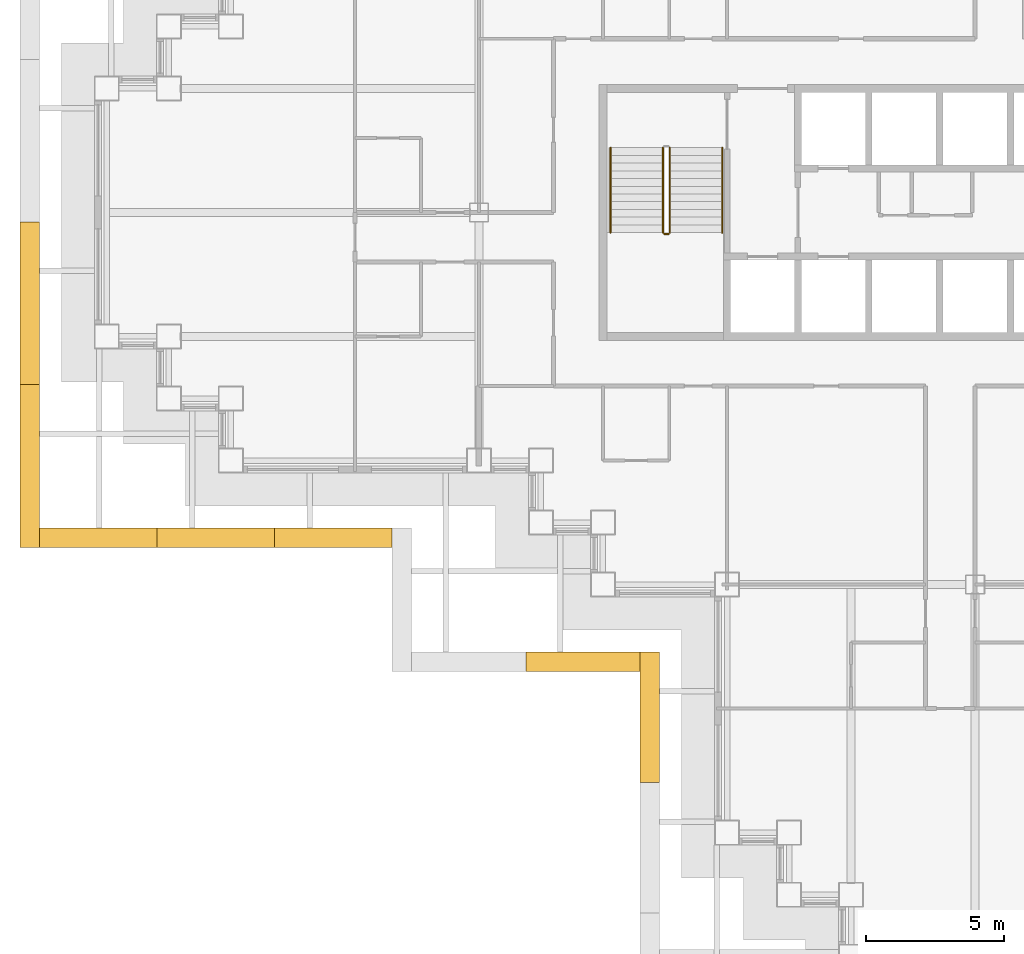
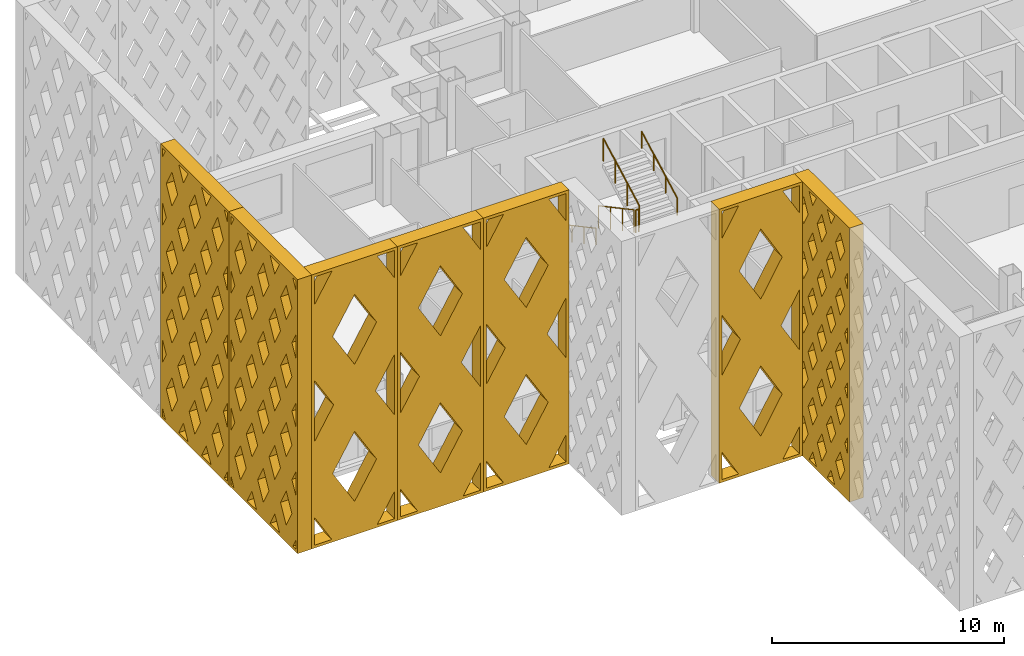
# One storey, part 14 of 21: 7 shading devices, 5 railings.
"""IFC4 building model written with IfcOpenShell, lengths in metres."""

from ifc_helpers import new_model, si_unit, direction, frame, origin, origin_2d, place, context, subcontext, project, spatial, polyline, circle, outline, extrude, material, type_object, element, save


model = new_model("IFC4")

# Units and contexts
model_context = context("Model", 3, precision=1e-05, world=origin(), true_north=direction((0.0, 1.0)))
body_context = subcontext(model_context, "Body", "Model", "MODEL_VIEW")
ifc_project = project(units=[si_unit("LENGTHUNIT", "METRE"), si_unit("AREAUNIT", "SQUARE_METRE"), si_unit("VOLUMEUNIT", "CUBIC_METRE"), si_unit("PLANEANGLEUNIT", "RADIAN"), si_unit("MASSUNIT", "GRAM", prefix="KILO")], contexts=[model_context])

# Site, building, storey
site_placement = place(None, origin())
site = spatial("IfcSite", under=ifc_project, at=site_placement, CompositionType="ELEMENT")
building_placement = place(site_placement, origin())
building = spatial("IfcBuilding", under=site, at=building_placement, Name="Caravel Reach Hotel and Residences", CompositionType="ELEMENT")
storey_placement = place(building_placement, frame((0.0, 0.0, 115.199951171875)))
storey = spatial("IfcBuildingStorey", under=building, at=storey_placement, Name="L28", CompositionType="ELEMENT", Elevation=115.199951171875)

# Shading devices
ifc_material_1 = material(Name="Black powder-coated aluminium", Category="aluminium")
shading_device_type_1 = type_object("IfcShadingDeviceType", Name="Diamond lattice screen panel 4150 x 14400", PredefinedType="USERDEFINED", material=ifc_material_1)
shading_device_1_placement = place(storey_placement, frame((15.199951171875, 11.050048828125, 0.0), z_axis=(0.0, -1.0, 0.0), x_axis=(1.0, 0.0, 0.0)))
element("IfcShadingDevice", 1, at=shading_device_1_placement, inside=storey, type_object=shading_device_type_1, Name="Lattice screen L28-L31 20.2", ObjectType="SCREEN", PredefinedType="USERDEFINED", context=body_context, shape_type="SweptSolid", body=[
    extrude(outline(polyline([(0.0, 0.0), (4.14990234375, 0.0), (4.14990234375, 14.39990234375), (0.0, 14.39990234375), (0.0, 0.0)]), holes=[polyline([(0.97802734375, 0.14990234375), (0.14990234375, 1.586669921875), (0.14990234375, 0.14990234375), (0.97802734375, 0.14990234375)]), polyline([(1.064697265625, 7.199951171875), (0.14990234375, 8.786865234375), (0.14990234375, 5.61328125), (1.064697265625, 7.199951171875)]), polyline([(0.14990234375, 12.813232421875), (0.97802734375, 14.25), (0.14990234375, 14.25), (0.14990234375, 12.813232421875)]), polyline([(2.074951171875, 5.447021484375), (1.010498046875, 3.60009765625), (2.074951171875, 1.7529296875), (3.1396484375, 3.60009765625), (2.074951171875, 5.447021484375)]), polyline([(2.074951171875, 12.64697265625), (1.010498046875, 10.800048828125), (2.074951171875, 8.953125), (3.1396484375, 10.800048828125), (2.074951171875, 12.64697265625)]), polyline([(4.0, 1.586669921875), (3.171875, 0.14990234375), (4.0, 0.14990234375), (4.0, 1.586669921875)]), polyline([(3.08544921875, 7.199951171875), (4.0, 5.61328125), (4.0, 8.786865234375), (3.08544921875, 7.199951171875)]), polyline([(3.171875, 14.25), (4.0, 12.813232421875), (4.0, 14.25), (3.171875, 14.25)])]), origin(), (0.0, 0.0, 1.0), 0.699951171875),
])
ifc_material_2 = material(Name="Black powder-coated aluminium", Category="aluminium")
shading_device_type_2 = type_object("IfcShadingDeviceType", Name="Diamond lattice screen panel 4267 x 14400", PredefinedType="USERDEFINED", material=ifc_material_2)
for number, where, z_axis, x_axis, name in (
    (2, (-2.449951171875, 15.550048828125, 0.0), (0.0, -1.0, 0.0), (1.0, 0.0, 0.0), "Lattice screen L28-L31 18.1"),
    (3, (1.816650390625, 15.550048828125, 0.0), (0.0, -1.0, 0.0), (1.0, 0.0, 0.0), "Lattice screen L28-L31 18.2"),
    (4, (6.083251953125, 15.550048828125, 0.0), (0.0, -1.0, 0.0), (1.0, 0.0, 0.0), "Lattice screen L28-L31 18.3"),
):
    element("IfcShadingDevice", number, at=place(storey_placement, frame(where, z_axis=z_axis, x_axis=x_axis)), inside=storey, type_object=shading_device_type_2, Name=name, ObjectType="SCREEN", PredefinedType="USERDEFINED", context=body_context, shape_type="SweptSolid", body=[
        extrude(outline(polyline([(0.0, 0.0), (4.2666015625, 0.0), (4.2666015625, 14.39990234375), (0.0, 14.39990234375), (0.0, 0.0)]), holes=[polyline([(1.003662109375, 0.14990234375), (0.14990234375, 1.590576171875), (0.14990234375, 0.14990234375), (1.003662109375, 0.14990234375)]), polyline([(1.092529296875, 7.199951171875), (0.14990234375, 8.790771484375), (0.14990234375, 5.609375), (1.092529296875, 7.199951171875)]), polyline([(0.14990234375, 12.809326171875), (1.003662109375, 14.25), (0.14990234375, 14.25), (0.14990234375, 12.809326171875)]), polyline([(2.13330078125, 5.44384765625), (1.040771484375, 3.60009765625), (2.13330078125, 1.756103515625), (3.225830078125, 3.60009765625), (2.13330078125, 5.44384765625)]), polyline([(2.13330078125, 12.643798828125), (1.040771484375, 10.800048828125), (2.13330078125, 8.956298828125), (3.225830078125, 10.800048828125), (2.13330078125, 12.643798828125)]), polyline([(4.11669921875, 1.590576171875), (3.262939453125, 0.14990234375), (4.11669921875, 0.14990234375), (4.11669921875, 1.590576171875)]), polyline([(3.174072265625, 7.199951171875), (4.11669921875, 5.609375), (4.11669921875, 8.790771484375), (3.174072265625, 7.199951171875)]), polyline([(3.262939453125, 14.25), (4.11669921875, 12.809326171875), (4.11669921875, 14.25), (3.262939453125, 14.25)])]), origin(), (0.0, 0.0, 1.0), 0.699951171875),
    ])
ifc_material_3 = material(Name="Black powder-coated aluminium", Category="aluminium")
shading_device_type_3 = type_object("IfcShadingDeviceType", Name="Diamond lattice screen panel 4733 x 14400", PredefinedType="USERDEFINED", material=ifc_material_3)
shading_device_2_placement = place(storey_placement, frame((20.050048828125, 11.050048828125, 0.0), z_axis=(-1.0, 0.0, 0.0), x_axis=(0.0, -1.0, 0.0)))
element("IfcShadingDevice", 5, at=shading_device_2_placement, inside=storey, type_object=shading_device_type_3, Name="Lattice screen L28-L31 1.1", ObjectType="SCREEN", PredefinedType="USERDEFINED", context=body_context, shape_type="SweptSolid", body=[
    extrude(outline(polyline([(0.0, 0.0), (4.7333984375, 0.0), (4.7333984375, 14.39990234375), (0.0, 14.39990234375), (0.0, 0.0)]), holes=[polyline([(0.39892578125, 2.8798828125), (0.14990234375, 3.334228515625), (0.14990234375, 2.42578125), (0.39892578125, 2.8798828125)]), polyline([(0.39892578125, 5.760009765625), (0.14990234375, 6.21435546875), (0.14990234375, 5.3056640625), (0.39892578125, 5.760009765625)]), polyline([(0.39892578125, 8.639892578125), (0.14990234375, 9.09423828125), (0.14990234375, 8.185791015625), (0.39892578125, 8.639892578125)]), polyline([(0.39892578125, 11.52001953125), (0.14990234375, 11.974365234375), (0.14990234375, 11.065673828125), (0.39892578125, 11.52001953125)]), polyline([(0.788818359375, 2.16796875), (0.39013671875, 1.43994140625), (0.788818359375, 0.7119140625), (1.187744140625, 1.43994140625), (0.788818359375, 2.16796875)]), polyline([(0.788818359375, 5.048095703125), (0.39013671875, 4.320068359375), (0.788818359375, 3.592041015625), (1.187744140625, 4.320068359375), (0.788818359375, 5.048095703125)]), polyline([(0.788818359375, 7.927978515625), (0.39013671875, 7.199951171875), (0.788818359375, 6.471923828125), (1.187744140625, 7.199951171875), (0.788818359375, 7.927978515625)]), polyline([(0.788818359375, 10.80810546875), (0.39013671875, 10.080078125), (0.788818359375, 9.35205078125), (1.187744140625, 10.080078125), (0.788818359375, 10.80810546875)]), polyline([(0.788818359375, 13.68798828125), (0.39013671875, 12.9599609375), (0.788818359375, 12.23193359375), (1.187744140625, 12.9599609375), (0.788818359375, 13.68798828125)]), polyline([(1.577880859375, 0.72802734375), (1.260986328125, 0.14990234375), (1.89453125, 0.14990234375), (1.577880859375, 0.72802734375)]), polyline([(1.577880859375, 3.608154296875), (1.178955078125, 2.8798828125), (1.577880859375, 2.15185546875), (1.9765625, 2.8798828125), (1.577880859375, 3.608154296875)]), polyline([(1.577880859375, 6.488037109375), (1.178955078125, 5.760009765625), (1.577880859375, 5.031982421875), (1.9765625, 5.760009765625), (1.577880859375, 6.488037109375)]), polyline([(1.577880859375, 9.3681640625), (1.178955078125, 8.639892578125), (1.577880859375, 7.911865234375), (1.9765625, 8.639892578125), (1.577880859375, 9.3681640625)]), polyline([(1.577880859375, 12.248046875), (1.178955078125, 11.52001953125), (1.577880859375, 10.7919921875), (1.9765625, 11.52001953125), (1.577880859375, 12.248046875)]), polyline([(1.577880859375, 13.671875), (1.89453125, 14.25), (1.260986328125, 14.25), (1.577880859375, 13.671875)]), polyline([(2.36669921875, 2.16796875), (1.9677734375, 1.43994140625), (2.36669921875, 0.7119140625), (2.765625, 1.43994140625), (2.36669921875, 2.16796875)]), polyline([(2.36669921875, 5.048095703125), (1.9677734375, 4.320068359375), (2.36669921875, 3.592041015625), (2.765625, 4.320068359375), (2.36669921875, 5.048095703125)]), polyline([(2.36669921875, 7.927978515625), (1.9677734375, 7.199951171875), (2.36669921875, 6.471923828125), (2.765625, 7.199951171875), (2.36669921875, 7.927978515625)]), polyline([(2.36669921875, 10.80810546875), (1.9677734375, 10.080078125), (2.36669921875, 9.35205078125), (2.765625, 10.080078125), (2.36669921875, 10.80810546875)]), polyline([(2.36669921875, 13.68798828125), (1.9677734375, 12.9599609375), (2.36669921875, 12.23193359375), (2.765625, 12.9599609375), (2.36669921875, 13.68798828125)]), polyline([(3.155517578125, 0.72802734375), (2.8388671875, 0.14990234375), (3.47216796875, 0.14990234375), (3.155517578125, 0.72802734375)]), polyline([(3.155517578125, 3.608154296875), (2.756591796875, 2.8798828125), (3.155517578125, 2.15185546875), (3.554443359375, 2.8798828125), (3.155517578125, 3.608154296875)]), polyline([(3.155517578125, 6.488037109375), (2.756591796875, 5.760009765625), (3.155517578125, 5.031982421875), (3.554443359375, 5.760009765625), (3.155517578125, 6.488037109375)]), polyline([(3.155517578125, 9.3681640625), (2.756591796875, 8.639892578125), (3.155517578125, 7.911865234375), (3.554443359375, 8.639892578125), (3.155517578125, 9.3681640625)]), polyline([(3.155517578125, 12.248046875), (2.756591796875, 11.52001953125), (3.155517578125, 10.7919921875), (3.554443359375, 11.52001953125), (3.155517578125, 12.248046875)]), polyline([(3.155517578125, 13.671875), (3.47216796875, 14.25), (2.8388671875, 14.25), (3.155517578125, 13.671875)]), polyline([(3.9443359375, 2.16796875), (3.545654296875, 1.43994140625), (3.9443359375, 0.7119140625), (4.34326171875, 1.43994140625), (3.9443359375, 2.16796875)]), polyline([(3.9443359375, 5.048095703125), (3.545654296875, 4.320068359375), (3.9443359375, 3.592041015625), (4.34326171875, 4.320068359375), (3.9443359375, 5.048095703125)]), polyline([(3.9443359375, 7.927978515625), (3.545654296875, 7.199951171875), (3.9443359375, 6.471923828125), (4.34326171875, 7.199951171875), (3.9443359375, 7.927978515625)]), polyline([(3.9443359375, 10.80810546875), (3.545654296875, 10.080078125), (3.9443359375, 9.35205078125), (4.34326171875, 10.080078125), (3.9443359375, 10.80810546875)]), polyline([(3.9443359375, 13.68798828125), (3.545654296875, 12.9599609375), (3.9443359375, 12.23193359375), (4.34326171875, 12.9599609375), (3.9443359375, 13.68798828125)]), polyline([(4.33447265625, 2.8798828125), (4.583251953125, 2.42578125), (4.583251953125, 3.334228515625), (4.33447265625, 2.8798828125)]), polyline([(4.33447265625, 5.760009765625), (4.583251953125, 5.3056640625), (4.583251953125, 6.21435546875), (4.33447265625, 5.760009765625)]), polyline([(4.33447265625, 8.639892578125), (4.583251953125, 8.185791015625), (4.583251953125, 9.09423828125), (4.33447265625, 8.639892578125)]), polyline([(4.33447265625, 11.52001953125), (4.583251953125, 11.065673828125), (4.583251953125, 11.974365234375), (4.33447265625, 11.52001953125)])]), origin(), (0.0, 0.0, 1.0), 0.699951171875),
])
ifc_material_4 = material(Name="Black powder-coated aluminium", Category="aluminium")
shading_device_type_4 = type_object("IfcShadingDeviceType", Name="Diamond lattice screen panel 5900 x 14400", PredefinedType="USERDEFINED", material=ifc_material_4)
shading_device_3_placement = place(storey_placement, frame((-2.449951171875, 26.64990234375, 0.0), z_axis=(-1.0, 0.0, 0.0), x_axis=(0.0, -1.0, 0.0)))
element("IfcShadingDevice", 6, at=shading_device_3_placement, inside=storey, type_object=shading_device_type_4, Name="Lattice screen L28-L31 17.3", ObjectType="SCREEN", PredefinedType="USERDEFINED", context=body_context, shape_type="SweptSolid", body=[
    extrude(outline(polyline([(0.0, 0.0), (5.89990234375, 0.0), (5.89990234375, 14.39990234375), (0.0, 14.39990234375), (0.0, 0.0)]), holes=[polyline([(0.40966796875, 0.14990234375), (0.14990234375, 0.62548828125), (0.14990234375, 0.14990234375), (0.40966796875, 0.14990234375)]), polyline([(0.49169921875, 3.60009765625), (0.14990234375, 4.2255859375), (0.14990234375, 2.974609375), (0.49169921875, 3.60009765625)]), polyline([(0.49169921875, 7.199951171875), (0.14990234375, 7.825439453125), (0.14990234375, 6.574462890625), (0.49169921875, 7.199951171875)]), polyline([(0.49169921875, 10.800048828125), (0.14990234375, 11.425537109375), (0.14990234375, 10.174560546875), (0.49169921875, 10.800048828125)]), polyline([(0.14990234375, 13.7744140625), (0.40966796875, 14.25), (0.14990234375, 14.25), (0.14990234375, 13.7744140625)]), polyline([(0.9833984375, 2.699951171875), (0.49169921875, 1.800048828125), (0.9833984375, 0.89990234375), (1.47509765625, 1.800048828125), (0.9833984375, 2.699951171875)]), polyline([(0.9833984375, 6.300048828125), (0.49169921875, 5.39990234375), (0.9833984375, 4.5), (1.47509765625, 5.39990234375), (0.9833984375, 6.300048828125)]), polyline([(0.9833984375, 9.900146484375), (0.49169921875, 9.0), (0.9833984375, 8.099853515625), (1.47509765625, 9.0), (0.9833984375, 9.900146484375)]), polyline([(0.9833984375, 13.5), (0.49169921875, 12.60009765625), (0.9833984375, 11.699951171875), (1.47509765625, 12.60009765625), (0.9833984375, 13.5)]), polyline([(1.966552734375, 0.900146484375), (1.556884765625, 0.14990234375), (2.37646484375, 0.14990234375), (1.966552734375, 0.900146484375)]), polyline([(1.966552734375, 4.5), (1.474853515625, 3.60009765625), (1.966552734375, 2.699951171875), (2.458251953125, 3.60009765625), (1.966552734375, 4.5)]), polyline([(1.966552734375, 8.10009765625), (1.474853515625, 7.199951171875), (1.966552734375, 6.300048828125), (2.458251953125, 7.199951171875), (1.966552734375, 8.10009765625)]), polyline([(1.966552734375, 11.699951171875), (1.474853515625, 10.800048828125), (1.966552734375, 9.89990234375), (2.458251953125, 10.800048828125), (1.966552734375, 11.699951171875)]), polyline([(1.966552734375, 13.5), (2.37646484375, 14.25), (1.556884765625, 14.25), (1.966552734375, 13.5)]), polyline([(2.949951171875, 2.699951171875), (2.458251953125, 1.800048828125), (2.949951171875, 0.89990234375), (3.441650390625, 1.800048828125), (2.949951171875, 2.699951171875)]), polyline([(2.949951171875, 6.300048828125), (2.458251953125, 5.39990234375), (2.949951171875, 4.5), (3.441650390625, 5.39990234375), (2.949951171875, 6.300048828125)]), polyline([(2.949951171875, 9.900146484375), (2.458251953125, 9.0), (2.949951171875, 8.099853515625), (3.441650390625, 9.0), (2.949951171875, 9.900146484375)]), polyline([(2.949951171875, 13.5), (2.458251953125, 12.60009765625), (2.949951171875, 11.699951171875), (3.441650390625, 12.60009765625), (2.949951171875, 13.5)]), polyline([(3.933349609375, 0.900146484375), (3.523681640625, 0.14990234375), (4.343017578125, 0.14990234375), (3.933349609375, 0.900146484375)]), polyline([(3.933349609375, 4.5), (3.441650390625, 3.60009765625), (3.933349609375, 2.699951171875), (4.425048828125, 3.60009765625), (3.933349609375, 4.5)]), polyline([(3.933349609375, 8.10009765625), (3.441650390625, 7.199951171875), (3.933349609375, 6.300048828125), (4.425048828125, 7.199951171875), (3.933349609375, 8.10009765625)]), polyline([(3.933349609375, 11.699951171875), (3.441650390625, 10.800048828125), (3.933349609375, 9.89990234375), (4.425048828125, 10.800048828125), (3.933349609375, 11.699951171875)]), polyline([(3.933349609375, 13.5), (4.343017578125, 14.25), (3.523681640625, 14.25), (3.933349609375, 13.5)]), polyline([(4.916748046875, 2.699951171875), (4.425048828125, 1.800048828125), (4.916748046875, 0.89990234375), (5.408447265625, 1.800048828125), (4.916748046875, 2.699951171875)]), polyline([(4.916748046875, 6.300048828125), (4.425048828125, 5.39990234375), (4.916748046875, 4.5), (5.408447265625, 5.39990234375), (4.916748046875, 6.300048828125)]), polyline([(4.916748046875, 9.900146484375), (4.425048828125, 9.0), (4.916748046875, 8.099853515625), (5.408447265625, 9.0), (4.916748046875, 9.900146484375)]), polyline([(4.916748046875, 13.5), (4.425048828125, 12.60009765625), (4.916748046875, 11.699951171875), (5.408447265625, 12.60009765625), (4.916748046875, 13.5)]), polyline([(5.75, 0.62548828125), (5.490234375, 0.14990234375), (5.75, 0.14990234375), (5.75, 0.62548828125)]), polyline([(5.408203125, 3.60009765625), (5.75, 2.974609375), (5.75, 4.2255859375), (5.408203125, 3.60009765625)]), polyline([(5.408203125, 7.199951171875), (5.75, 6.574462890625), (5.75, 7.825439453125), (5.408203125, 7.199951171875)]), polyline([(5.408203125, 10.800048828125), (5.75, 10.174560546875), (5.75, 11.425537109375), (5.408203125, 10.800048828125)]), polyline([(5.490234375, 14.25), (5.75, 13.7744140625), (5.75, 14.25), (5.490234375, 14.25)])]), origin(), (0.0, 0.0, 1.0), 0.699951171875),
])
shading_device_4_placement = place(storey_placement, frame((-2.449951171875, 20.75, 0.0), z_axis=(-1.0, 0.0, 0.0), x_axis=(0.0, -1.0, 0.0)))
element("IfcShadingDevice", 7, at=shading_device_4_placement, inside=storey, type_object=shading_device_type_4, Name="Lattice screen L28-L31 17.4", ObjectType="SCREEN", PredefinedType="USERDEFINED", context=body_context, shape_type="SweptSolid", body=[
    extrude(outline(polyline([(0.0, 0.0), (5.89990234375, 0.0), (5.89990234375, 14.39990234375), (0.0, 14.39990234375), (0.0, 0.0)]), holes=[polyline([(0.40966796875, 0.14990234375), (0.14990234375, 0.62548828125), (0.14990234375, 0.14990234375), (0.40966796875, 0.14990234375)]), polyline([(0.49169921875, 3.60009765625), (0.14990234375, 4.2255859375), (0.14990234375, 2.974609375), (0.49169921875, 3.60009765625)]), polyline([(0.49169921875, 7.199951171875), (0.14990234375, 7.825439453125), (0.14990234375, 6.574462890625), (0.49169921875, 7.199951171875)]), polyline([(0.49169921875, 10.800048828125), (0.14990234375, 11.425537109375), (0.14990234375, 10.174560546875), (0.49169921875, 10.800048828125)]), polyline([(0.14990234375, 13.7744140625), (0.40966796875, 14.25), (0.14990234375, 14.25), (0.14990234375, 13.7744140625)]), polyline([(0.9833984375, 2.699951171875), (0.49169921875, 1.800048828125), (0.9833984375, 0.89990234375), (1.47509765625, 1.800048828125), (0.9833984375, 2.699951171875)]), polyline([(0.9833984375, 6.300048828125), (0.49169921875, 5.39990234375), (0.9833984375, 4.5), (1.47509765625, 5.39990234375), (0.9833984375, 6.300048828125)]), polyline([(0.9833984375, 9.900146484375), (0.49169921875, 9.0), (0.9833984375, 8.099853515625), (1.47509765625, 9.0), (0.9833984375, 9.900146484375)]), polyline([(0.9833984375, 13.5), (0.49169921875, 12.60009765625), (0.9833984375, 11.699951171875), (1.47509765625, 12.60009765625), (0.9833984375, 13.5)]), polyline([(1.966552734375, 0.900146484375), (1.556884765625, 0.14990234375), (2.37646484375, 0.14990234375), (1.966552734375, 0.900146484375)]), polyline([(1.966552734375, 4.5), (1.474853515625, 3.60009765625), (1.966552734375, 2.699951171875), (2.458251953125, 3.60009765625), (1.966552734375, 4.5)]), polyline([(1.966552734375, 8.10009765625), (1.474853515625, 7.199951171875), (1.966552734375, 6.300048828125), (2.458251953125, 7.199951171875), (1.966552734375, 8.10009765625)]), polyline([(1.966552734375, 11.699951171875), (1.474853515625, 10.800048828125), (1.966552734375, 9.89990234375), (2.458251953125, 10.800048828125), (1.966552734375, 11.699951171875)]), polyline([(1.966552734375, 13.5), (2.37646484375, 14.25), (1.556884765625, 14.25), (1.966552734375, 13.5)]), polyline([(2.949951171875, 2.699951171875), (2.458251953125, 1.800048828125), (2.949951171875, 0.89990234375), (3.441650390625, 1.800048828125), (2.949951171875, 2.699951171875)]), polyline([(2.949951171875, 6.300048828125), (2.458251953125, 5.39990234375), (2.949951171875, 4.5), (3.441650390625, 5.39990234375), (2.949951171875, 6.300048828125)]), polyline([(2.949951171875, 9.900146484375), (2.458251953125, 9.0), (2.949951171875, 8.099853515625), (3.441650390625, 9.0), (2.949951171875, 9.900146484375)]), polyline([(2.949951171875, 13.5), (2.458251953125, 12.60009765625), (2.949951171875, 11.699951171875), (3.441650390625, 12.60009765625), (2.949951171875, 13.5)]), polyline([(3.933349609375, 0.900146484375), (3.523681640625, 0.14990234375), (4.343017578125, 0.14990234375), (3.933349609375, 0.900146484375)]), polyline([(3.933349609375, 4.5), (3.441650390625, 3.60009765625), (3.933349609375, 2.699951171875), (4.425048828125, 3.60009765625), (3.933349609375, 4.5)]), polyline([(3.933349609375, 8.10009765625), (3.441650390625, 7.199951171875), (3.933349609375, 6.300048828125), (4.425048828125, 7.199951171875), (3.933349609375, 8.10009765625)]), polyline([(3.933349609375, 11.699951171875), (3.441650390625, 10.800048828125), (3.933349609375, 9.89990234375), (4.425048828125, 10.800048828125), (3.933349609375, 11.699951171875)]), polyline([(3.933349609375, 13.5), (4.343017578125, 14.25), (3.523681640625, 14.25), (3.933349609375, 13.5)]), polyline([(4.916748046875, 2.699951171875), (4.425048828125, 1.800048828125), (4.916748046875, 0.89990234375), (5.408447265625, 1.800048828125), (4.916748046875, 2.699951171875)]), polyline([(4.916748046875, 6.300048828125), (4.425048828125, 5.39990234375), (4.916748046875, 4.5), (5.408447265625, 5.39990234375), (4.916748046875, 6.300048828125)]), polyline([(4.916748046875, 9.900146484375), (4.425048828125, 9.0), (4.916748046875, 8.099853515625), (5.408447265625, 9.0), (4.916748046875, 9.900146484375)]), polyline([(4.916748046875, 13.5), (4.425048828125, 12.60009765625), (4.916748046875, 11.699951171875), (5.408447265625, 12.60009765625), (4.916748046875, 13.5)]), polyline([(5.75, 0.62548828125), (5.490234375, 0.14990234375), (5.75, 0.14990234375), (5.75, 0.62548828125)]), polyline([(5.408203125, 3.60009765625), (5.75, 2.974609375), (5.75, 4.2255859375), (5.408203125, 3.60009765625)]), polyline([(5.408203125, 7.199951171875), (5.75, 6.574462890625), (5.75, 7.825439453125), (5.408203125, 7.199951171875)]), polyline([(5.408203125, 10.800048828125), (5.75, 10.174560546875), (5.75, 11.425537109375), (5.408203125, 10.800048828125)]), polyline([(5.490234375, 14.25), (5.75, 13.7744140625), (5.75, 14.25), (5.490234375, 14.25)])]), origin(), (0.0, 0.0, 1.0), 0.699951171875),
])

# Railings
ifc_material_5 = material(Name="Steel balustrade with glass infill", Category="steel")
railing_type_1 = type_object("IfcRailingType", Name="Guard 1200", PredefinedType="GUARDRAIL", material=ifc_material_5)
railing_1_placement = place(storey_placement, frame((20.175048828125, 29.35009765625, 0.150146484375)))
element("IfcRailing", 8, at=railing_1_placement, inside=storey, type_object=railing_type_1, Name="L28 ST-A stair guard 1", PredefinedType="GUARDRAIL", context=body_context, shape_type="SweptSolid", body=[
    extrude(circle(Radius=0.02392578125, at=origin_2d()), frame((0.0, 0.0, 1.17578125), z_axis=(0.0, -0.881496589024, 0.472190389079), x_axis=(1.0, 0.0, 0.0)), (0.0, 0.0, 1.0), 3.494140625),
    extrude(circle(Radius=0.02099609375, at=origin_2d()), origin(), (0.0, 0.0, 1.0), 1.15185546875),
    extrude(circle(Radius=0.02099609375, at=origin_2d()), frame((0.0, -1.026611328125, 0.550048828125)), (0.0, 0.0, 1.0), 1.15185546875),
    extrude(circle(Radius=0.02099609375, at=origin_2d()), frame((0.0, -2.053466796875, 1.099853515625)), (0.0, 0.0, 1.0), 1.15185546875),
    extrude(circle(Radius=0.02099609375, at=origin_2d()), frame((0.0, -3.080078125, 1.64990234375)), (0.0, 0.0, 1.0), 1.15185546875),
])
railing_2_placement = place(storey_placement, frame((20.22509765625, 26.219970703125, 1.800048828125)))
element("IfcRailing", 9, at=railing_2_placement, inside=storey, type_object=railing_type_1, Name="L28 ST-A stair guard 2", PredefinedType="GUARDRAIL", context=body_context, shape_type="SweptSolid", body=[
    extrude(circle(Radius=0.02392578125, at=origin_2d()), frame((0.0, 0.0, 1.17578125), z_axis=(1.0, 0.0, 0.0), x_axis=(0.0, 1.0, 0.0)), (0.0, 0.0, 1.0), 0.14990234375),
    extrude(circle(Radius=0.02099609375, at=origin_2d()), origin(), (0.0, 0.0, 1.0), 1.15185546875),
    extrude(circle(Radius=0.02099609375, at=origin_2d()), frame((0.14990234375, 0.0, 0.0)), (0.0, 0.0, 1.0), 1.15185546875),
])
railing_3_placement = place(storey_placement, frame((20.425048828125, 26.27001953125, 1.949951171875)))
element("IfcRailing", 10, at=railing_3_placement, inside=storey, type_object=railing_type_1, Name="L28 ST-A stair guard 3", PredefinedType="GUARDRAIL", context=body_context, shape_type="SweptSolid", body=[
    extrude(circle(Radius=0.02392578125, at=origin_2d()), frame((0.0, 0.0, 1.17578125), z_axis=(0.0, 0.881467505477, 0.472244678941), x_axis=(-1.0, 0.0, 0.0)), (0.0, 0.0, 1.0), 3.494140625),
    extrude(circle(Radius=0.02099609375, at=origin_2d()), origin(), (0.0, 0.0, 1.0), 1.15185546875),
    extrude(circle(Radius=0.02099609375, at=origin_2d()), frame((0.0, 1.026611328125, 0.550048828125)), (0.0, 0.0, 1.0), 1.15185546875),
    extrude(circle(Radius=0.02099609375, at=origin_2d()), frame((0.0, 2.053466796875, 1.10009765625)), (0.0, 0.0, 1.0), 1.15185546875),
    extrude(circle(Radius=0.02099609375, at=origin_2d()), frame((0.0, 3.080078125, 1.650146484375)), (0.0, 0.0, 1.0), 1.15185546875),
])
ifc_material_6 = material(Name="Stainless steel handrail", Category="steel")
railing_type_2 = type_object("IfcRailingType", Name="Handrail 900", PredefinedType="HANDRAIL", material=ifc_material_6)
railing_4_placement = place(storey_placement, frame((18.27490234375, 29.35009765625, 0.150146484375)))
element("IfcRailing", 11, at=railing_4_placement, inside=storey, type_object=railing_type_2, Name="L28 ST-A stair handrail 1", PredefinedType="HANDRAIL", context=body_context, shape_type="SweptSolid", body=[
    extrude(circle(Radius=0.02392578125, at=origin_2d()), frame((0.0, 0.0, 0.8759765625), z_axis=(0.0, -0.881496589024, 0.472190389079), x_axis=(1.0, 0.0, 0.0)), (0.0, 0.0, 1.0), 3.494140625),
    extrude(circle(Radius=0.02099609375, at=origin_2d()), origin(), (0.0, 0.0, 1.0), 0.851806640625),
    extrude(circle(Radius=0.02099609375, at=origin_2d()), frame((0.0, -1.026611328125, 0.550048828125)), (0.0, 0.0, 1.0), 0.851806640625),
    extrude(circle(Radius=0.02099609375, at=origin_2d()), frame((0.0, -2.053466796875, 1.099853515625)), (0.0, 0.0, 1.0), 0.851806640625),
    extrude(circle(Radius=0.02099609375, at=origin_2d()), frame((0.0, -3.080078125, 1.64990234375)), (0.0, 0.0, 1.0), 0.851806640625),
])
railing_5_placement = place(storey_placement, frame((22.324951171875, 26.27001953125, 1.949951171875)))
element("IfcRailing", 12, at=railing_5_placement, inside=storey, type_object=railing_type_2, Name="L28 ST-A stair handrail 2", PredefinedType="HANDRAIL", context=body_context, shape_type="SweptSolid", body=[
    extrude(circle(Radius=0.02392578125, at=origin_2d()), frame((0.0, 0.0, 0.8759765625), z_axis=(0.0, 0.881467505477, 0.472244678941), x_axis=(-1.0, 0.0, 0.0)), (0.0, 0.0, 1.0), 3.494140625),
    extrude(circle(Radius=0.02099609375, at=origin_2d()), origin(), (0.0, 0.0, 1.0), 0.851806640625),
    extrude(circle(Radius=0.02099609375, at=origin_2d()), frame((0.0, 1.026611328125, 0.550048828125)), (0.0, 0.0, 1.0), 0.851806640625),
    extrude(circle(Radius=0.02099609375, at=origin_2d()), frame((0.0, 2.053466796875, 1.10009765625)), (0.0, 0.0, 1.0), 0.851806640625),
    extrude(circle(Radius=0.02099609375, at=origin_2d()), frame((0.0, 3.080078125, 1.650146484375)), (0.0, 0.0, 1.0), 0.851806640625),
])

save(model, "model.ifc")
